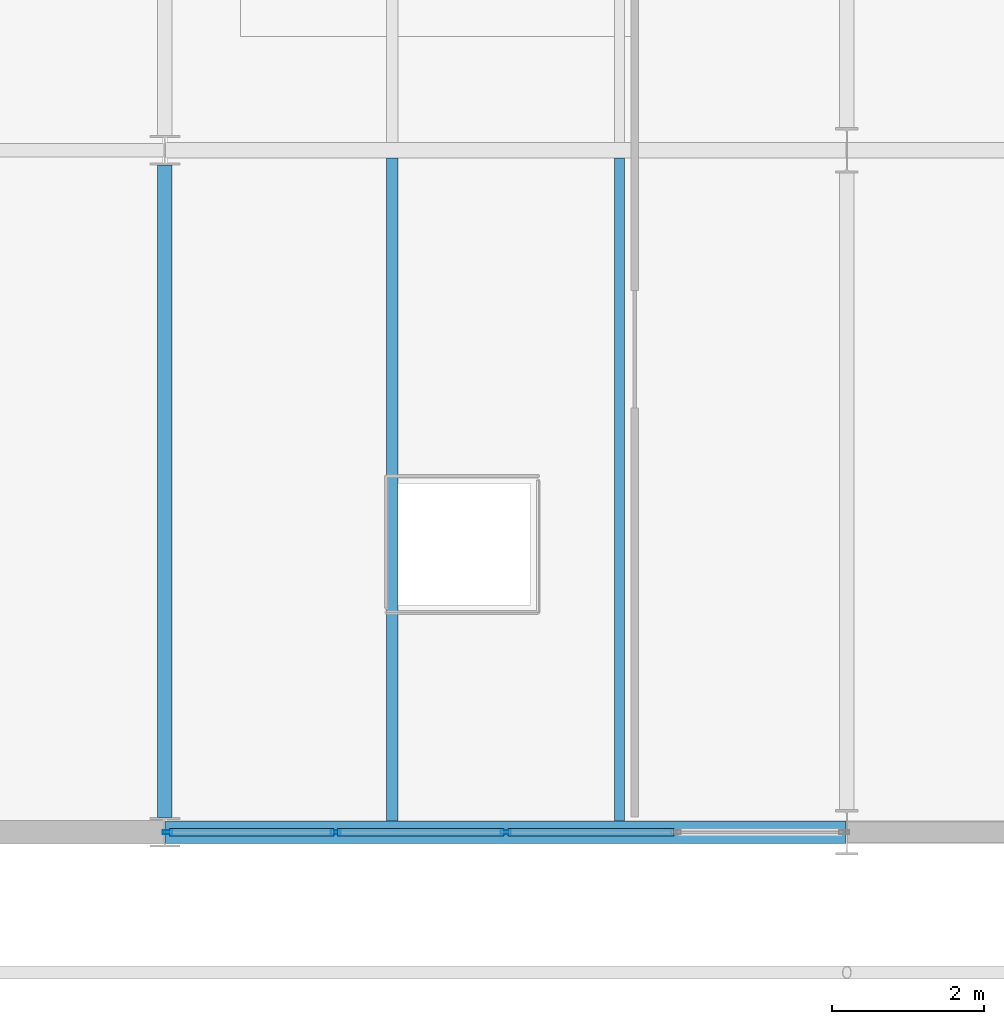
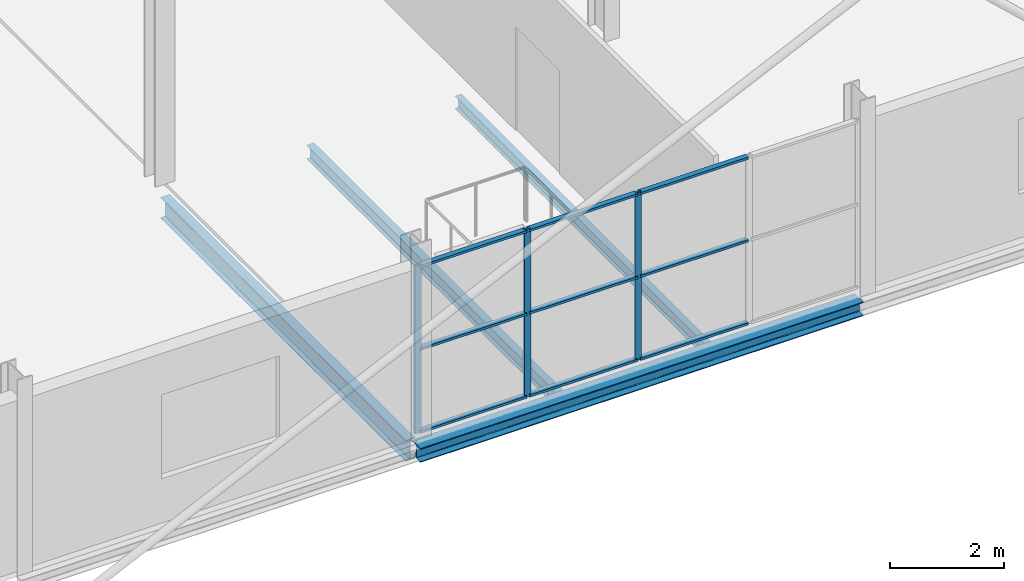
# One storey, part 10 of 59: 12 members, 4 beams, 1 element without a shape of its own.
"""IFC4 building model written with IfcOpenShell, lengths in metres."""

from ifc_helpers import new_model, si_unit, direction, frame, origin, origin_2d, place, context, subcontext, project, spatial, hollow_rectangle, i_section, extrude, material, layer, layer_set, material_profile, profile_set, type_object, element, aggregate, save


model = new_model("IFC4")

# Units and contexts
model_context = context("Model", 3, precision=1e-05, world=origin(), true_north=direction((0.0, 1.0)))
body_context = subcontext(model_context, "Body", "Model", "MODEL_VIEW")
ifc_project = project(units=[si_unit("LENGTHUNIT", "METRE"), si_unit("AREAUNIT", "SQUARE_METRE"), si_unit("VOLUMEUNIT", "CUBIC_METRE"), si_unit("PLANEANGLEUNIT", "RADIAN"), si_unit("MASSUNIT", "GRAM", prefix="KILO")], contexts=[model_context])

# Site, building, storey
site_placement = place(None, origin())
site = spatial("IfcSite", under=ifc_project, at=site_placement, CompositionType="ELEMENT")
building_placement = place(site_placement, origin())
building = spatial("IfcBuilding", under=site, at=building_placement, Name="Deido Ridge Mobility Hub", CompositionType="ELEMENT")
storey_placement = place(building_placement, frame((0.0, 0.0, 21.0)))
storey = spatial("IfcBuildingStorey", under=building, at=storey_placement, Name="L05", CompositionType="ELEMENT", Elevation=21.0)

# Beams
ifc_material_1 = material(Name="Steel S355J2 EN 10025-2", Category="steel")
ifc_material_profile_1 = material_profile(ifc_material_1, i_section(OverallWidth=0.18994140625, OverallDepth=0.449951171875, WebThickness=0.009521484375, FlangeThickness=0.0146484375, FilletRadius=0.02099609375, at=origin_2d()), Name="IPE 450")
ifc_profile_set_1 = profile_set([ifc_material_profile_1], Name="Steel S355J2 EN 10025-2")
beam_type_1 = type_object("IfcBeamType", Name="BM-IPE450", PredefinedType="BEAM", material=ifc_profile_set_1)
beam_1_placement = place(storey_placement, frame((144.0, 0.196533203125, -0.469970703125), z_axis=(0.0, 1.0, 0.0), x_axis=(-1.0, 0.0, 0.0)))
element("IfcBeam", 1, at=beam_1_placement, inside=storey, type_object=beam_type_1, Name="Floor beam B4", PredefinedType="BEAM", context=body_context, shape_type="SweptSolid", body=[
    extrude(i_section(OverallWidth=0.18994140625, OverallDepth=0.449951171875, WebThickness=0.009521484375, FlangeThickness=0.0146484375, FilletRadius=0.02099609375, at=origin_2d()), origin(), (0.0, 0.0, 1.0), 8.60693359375),
])
ifc_material_profile_2 = material_profile(ifc_material_1, i_section(OverallWidth=0.135009765625, OverallDepth=0.27001953125, WebThickness=0.006591796875, FlangeThickness=0.01025390625, FilletRadius=0.014892578125, at=origin_2d()), Name="IPE 270")
ifc_profile_set_2 = profile_set([ifc_material_profile_2], Name="Steel S355J2 EN 10025-2")
beam_type_2 = type_object("IfcBeamType", Name="JST-IPE270", PredefinedType="JOIST", material=ifc_profile_set_2)
beam_2_placement = place(storey_placement, frame((150.0, 0.14990234375, -0.3798828125), z_axis=(0.0, 1.0, 0.0), x_axis=(-1.0, 0.0, 0.0)))
element("IfcBeam", 2, at=beam_2_placement, inside=storey, type_object=beam_type_2, Name="Composite joist J4", PredefinedType="JOIST", context=body_context, shape_type="SweptSolid", body=[
    extrude(i_section(OverallWidth=0.135009765625, OverallDepth=0.27001953125, WebThickness=0.006591796875, FlangeThickness=0.01025390625, FilletRadius=0.014892578125, at=origin_2d()), origin(), (0.0, 0.0, 1.0), 8.75),
])
ifc_material_profile_3 = material_profile(ifc_material_1, i_section(OverallWidth=0.14990234375, OverallDepth=0.300048828125, WebThickness=0.007080078125, FlangeThickness=0.0107421875, FilletRadius=0.014892578125, at=origin_2d()), Name="IPE 300")
ifc_profile_set_3 = profile_set([ifc_material_profile_3], Name="Steel S355J2 EN 10025-2")
beam_type_3 = type_object("IfcBeamType", Name="JST-IPE300", PredefinedType="JOIST", material=ifc_profile_set_3)
beam_3_placement = place(storey_placement, frame((147.0, 0.14990234375, -0.39501953125), z_axis=(0.0, 1.0, 0.0), x_axis=(-1.0, 0.0, 0.0)))
element("IfcBeam", 3, at=beam_3_placement, inside=storey, type_object=beam_type_3, Name="Composite joist J3", PredefinedType="JOIST", context=body_context, shape_type="SweptSolid", body=[
    extrude(i_section(OverallWidth=0.14990234375, OverallDepth=0.300048828125, WebThickness=0.007080078125, FlangeThickness=0.0107421875, FilletRadius=0.014892578125, at=origin_2d()), origin(), (0.0, 0.0, 1.0), 8.75),
])

# Curtain wall, members
ifc_material_2 = material(Name="Anodised aluminium EN AW-6063 T6", Category="aluminium")
ifc_layer = layer(ifc_material_2, 0.1650390625, Name="Anodised aluminium EN AW-6063 T6")
ifc_layer_set = layer_set([ifc_layer], Name="Anodised aluminium EN AW-6063 T6")
curtain_wall_type = type_object("IfcCurtainWallType", Name="CW-UF-1", PredefinedType="USERDEFINED", material=ifc_layer_set)
curtain_wall_placement = place(storey_placement, origin())
curtain_wall = element("IfcCurtainWall", 4, at=curtain_wall_placement, inside=storey, type_object=curtain_wall_type, Name="Unitised curtain wall CW1", ObjectType="UNITISED FACADE", PredefinedType="USERDEFINED")
ifc_material_profile_4 = material_profile(ifc_material_2, hollow_rectangle(XDim=0.050048828125, YDim=0.1298828125, WallThickness=0.00390625, at=origin_2d()), Name="RHS 50x130x4")
ifc_profile_set_4 = profile_set([ifc_material_profile_4], Name="Anodised aluminium EN AW-6063 T6")
member_type_1 = type_object("IfcMemberType", Name="MEM-MUL-50X130", PredefinedType="MULLION", material=ifc_profile_set_4)
member_1_placement = place(storey_placement, frame((144.03369140625, 0.0, 0.0), z_axis=(0.0, 0.0, 1.0), x_axis=(0.0, 1.0, 0.0)))
member_1 = element("IfcMember", 5, at=member_1_placement, type_object=member_type_1, Name="CW1 mullion 1", PredefinedType="MULLION", context=body_context, shape_type="SweptSolid", body=[
    extrude(hollow_rectangle(XDim=0.050048828125, YDim=0.1298828125, WallThickness=0.00390625, at=origin_2d()), origin(), (0.0, 0.0, 1.0), 3.60009765625),
])
member_2_placement = place(storey_placement, frame((146.254638671875, 0.0, 0.0), z_axis=(0.0, 0.0, 1.0), x_axis=(0.0, 1.0, 0.0)))
member_2 = element("IfcMember", 6, at=member_2_placement, type_object=member_type_1, Name="CW1 mullion 2", PredefinedType="MULLION", context=body_context, shape_type="SweptSolid", body=[
    extrude(hollow_rectangle(XDim=0.050048828125, YDim=0.1298828125, WallThickness=0.00390625, at=origin_2d()), origin(), (0.0, 0.0, 1.0), 3.60009765625),
])
member_3_placement = place(storey_placement, frame((148.50048828125, 0.0, 0.0), z_axis=(0.0, 0.0, 1.0), x_axis=(0.0, 1.0, 0.0)))
member_3 = element("IfcMember", 7, at=member_3_placement, type_object=member_type_1, Name="CW1 mullion 3", PredefinedType="MULLION", context=body_context, shape_type="SweptSolid", body=[
    extrude(hollow_rectangle(XDim=0.050048828125, YDim=0.1298828125, WallThickness=0.00390625, at=origin_2d()), origin(), (0.0, 0.0, 1.0), 3.60009765625),
])
ifc_material_profile_5 = material_profile(ifc_material_2, hollow_rectangle(XDim=0.10498046875, YDim=0.050048828125, WallThickness=0.00390625, at=origin_2d()), Name="RHS 105x50x4")
ifc_profile_set_5 = profile_set([ifc_material_profile_5], Name="Anodised aluminium EN AW-6063 T6")
member_type_2 = type_object("IfcMemberType", Name="MEM-TRN-105X50", PredefinedType="USERDEFINED", material=ifc_profile_set_5)
member_4_placement = place(storey_placement, frame((144.05859375, 0.0, 0.02490234375), z_axis=(1.0, 0.0, 0.0), x_axis=(0.0, 1.0, 0.0)))
member_4 = element("IfcMember", 8, at=member_4_placement, type_object=member_type_2, Name="CW1 transom 1.1", ObjectType="TRANSOM", PredefinedType="USERDEFINED", context=body_context, shape_type="SweptSolid", body=[
    extrude(hollow_rectangle(XDim=0.10498046875, YDim=0.050048828125, WallThickness=0.00390625, at=origin_2d()), origin(), (0.0, 0.0, 1.0), 2.1708984375),
])
member_5_placement = place(storey_placement, frame((144.05859375, 0.0, 1.800048828125), z_axis=(1.0, 0.0, 0.0), x_axis=(0.0, 1.0, 0.0)))
member_5 = element("IfcMember", 9, at=member_5_placement, type_object=member_type_2, Name="CW1 transom 1.2", ObjectType="TRANSOM", PredefinedType="USERDEFINED", context=body_context, shape_type="SweptSolid", body=[
    extrude(hollow_rectangle(XDim=0.10498046875, YDim=0.050048828125, WallThickness=0.00390625, at=origin_2d()), origin(), (0.0, 0.0, 1.0), 2.1708984375),
])
member_6_placement = place(storey_placement, frame((144.05859375, 0.0, 3.574951171875), z_axis=(1.0, 0.0, 0.0), x_axis=(0.0, 1.0, 0.0)))
member_6 = element("IfcMember", 10, at=member_6_placement, type_object=member_type_2, Name="CW1 transom 1.3", ObjectType="TRANSOM", PredefinedType="USERDEFINED", context=body_context, shape_type="SweptSolid", body=[
    extrude(hollow_rectangle(XDim=0.10498046875, YDim=0.050048828125, WallThickness=0.00390625, at=origin_2d()), origin(), (0.0, 0.0, 1.0), 2.1708984375),
])
member_7_placement = place(storey_placement, frame((146.279541015625, 0.0, 0.02490234375), z_axis=(1.0, 0.0, 0.0), x_axis=(0.0, 1.0, 0.0)))
member_7 = element("IfcMember", 11, at=member_7_placement, type_object=member_type_2, Name="CW1 transom 2.1", ObjectType="TRANSOM", PredefinedType="USERDEFINED", context=body_context, shape_type="SweptSolid", body=[
    extrude(hollow_rectangle(XDim=0.10498046875, YDim=0.050048828125, WallThickness=0.00390625, at=origin_2d()), origin(), (0.0, 0.0, 1.0), 2.196044921875),
])
member_8_placement = place(storey_placement, frame((146.279541015625, 0.0, 1.800048828125), z_axis=(1.0, 0.0, 0.0), x_axis=(0.0, 1.0, 0.0)))
member_8 = element("IfcMember", 12, at=member_8_placement, type_object=member_type_2, Name="CW1 transom 2.2", ObjectType="TRANSOM", PredefinedType="USERDEFINED", context=body_context, shape_type="SweptSolid", body=[
    extrude(hollow_rectangle(XDim=0.10498046875, YDim=0.050048828125, WallThickness=0.00390625, at=origin_2d()), origin(), (0.0, 0.0, 1.0), 2.196044921875),
])
member_9_placement = place(storey_placement, frame((146.279541015625, 0.0, 3.574951171875), z_axis=(1.0, 0.0, 0.0), x_axis=(0.0, 1.0, 0.0)))
member_9 = element("IfcMember", 13, at=member_9_placement, type_object=member_type_2, Name="CW1 transom 2.3", ObjectType="TRANSOM", PredefinedType="USERDEFINED", context=body_context, shape_type="SweptSolid", body=[
    extrude(hollow_rectangle(XDim=0.10498046875, YDim=0.050048828125, WallThickness=0.00390625, at=origin_2d()), origin(), (0.0, 0.0, 1.0), 2.196044921875),
])
member_10_placement = place(storey_placement, frame((148.525390625, 0.0, 0.02490234375), z_axis=(1.0, 0.0, 0.0), x_axis=(0.0, 1.0, 0.0)))
member_10 = element("IfcMember", 14, at=member_10_placement, type_object=member_type_2, Name="CW1 transom 3.1", ObjectType="TRANSOM", PredefinedType="USERDEFINED", context=body_context, shape_type="SweptSolid", body=[
    extrude(hollow_rectangle(XDim=0.10498046875, YDim=0.050048828125, WallThickness=0.00390625, at=origin_2d()), origin(), (0.0, 0.0, 1.0), 2.196044921875),
])
member_11_placement = place(storey_placement, frame((148.525390625, 0.0, 1.800048828125), z_axis=(1.0, 0.0, 0.0), x_axis=(0.0, 1.0, 0.0)))
member_11 = element("IfcMember", 15, at=member_11_placement, type_object=member_type_2, Name="CW1 transom 3.2", ObjectType="TRANSOM", PredefinedType="USERDEFINED", context=body_context, shape_type="SweptSolid", body=[
    extrude(hollow_rectangle(XDim=0.10498046875, YDim=0.050048828125, WallThickness=0.00390625, at=origin_2d()), origin(), (0.0, 0.0, 1.0), 2.196044921875),
])
member_12_placement = place(storey_placement, frame((148.525390625, 0.0, 3.574951171875), z_axis=(1.0, 0.0, 0.0), x_axis=(0.0, 1.0, 0.0)))
member_12 = element("IfcMember", 16, at=member_12_placement, type_object=member_type_2, Name="CW1 transom 3.3", ObjectType="TRANSOM", PredefinedType="USERDEFINED", context=body_context, shape_type="SweptSolid", body=[
    extrude(hollow_rectangle(XDim=0.10498046875, YDim=0.050048828125, WallThickness=0.00390625, at=origin_2d()), origin(), (0.0, 0.0, 1.0), 2.196044921875),
])
aggregate(curtain_wall, [member_1, member_2, member_3, member_4, member_5, member_6, member_7, member_8, member_9, member_10, member_11, member_12])

# Beam
ifc_material_profile_6 = material_profile(ifc_material_1, i_section(OverallWidth=0.300048828125, OverallDepth=0.300048828125, WebThickness=0.010986328125, FlangeThickness=0.01904296875, FilletRadius=0.027099609375, at=origin_2d()), Name="HEB 300")
ifc_profile_set_6 = profile_set([ifc_material_profile_6], Name="Steel S355J2 EN 10025-2")
beam_type_4 = type_object("IfcBeamType", Name="SPD-HEB300", PredefinedType="SPANDREL", material=ifc_profile_set_6)
beam_4_placement = place(storey_placement, frame((144.0087890625, 0.0, -0.39501953125), z_axis=(1.0, 0.0, 0.0), x_axis=(0.0, 1.0, 0.0)))
element("IfcBeam", 17, at=beam_4_placement, inside=storey, type_object=beam_type_4, Name="Floor beam SP1", PredefinedType="SPANDREL", context=body_context, shape_type="SweptSolid", body=[
    extrude(i_section(OverallWidth=0.300048828125, OverallDepth=0.300048828125, WebThickness=0.010986328125, FlangeThickness=0.01904296875, FilletRadius=0.027099609375, at=origin_2d()), origin(), (0.0, 0.0, 1.0), 8.9833984375),
])

save(model, "model.ifc")
